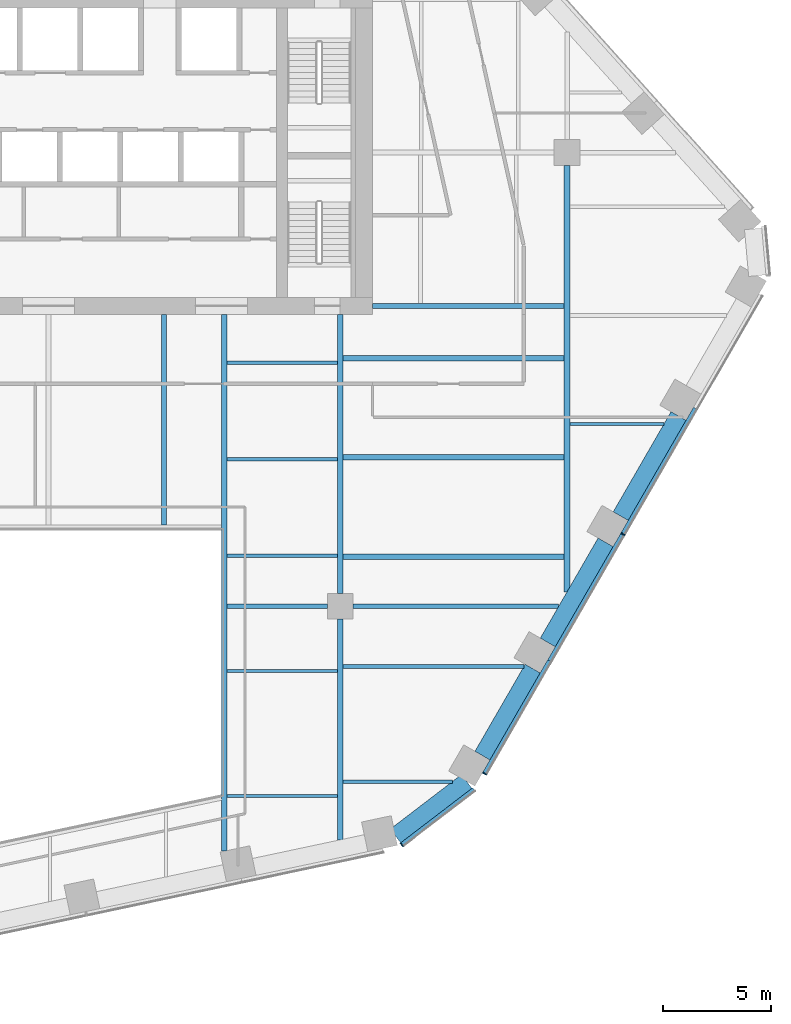
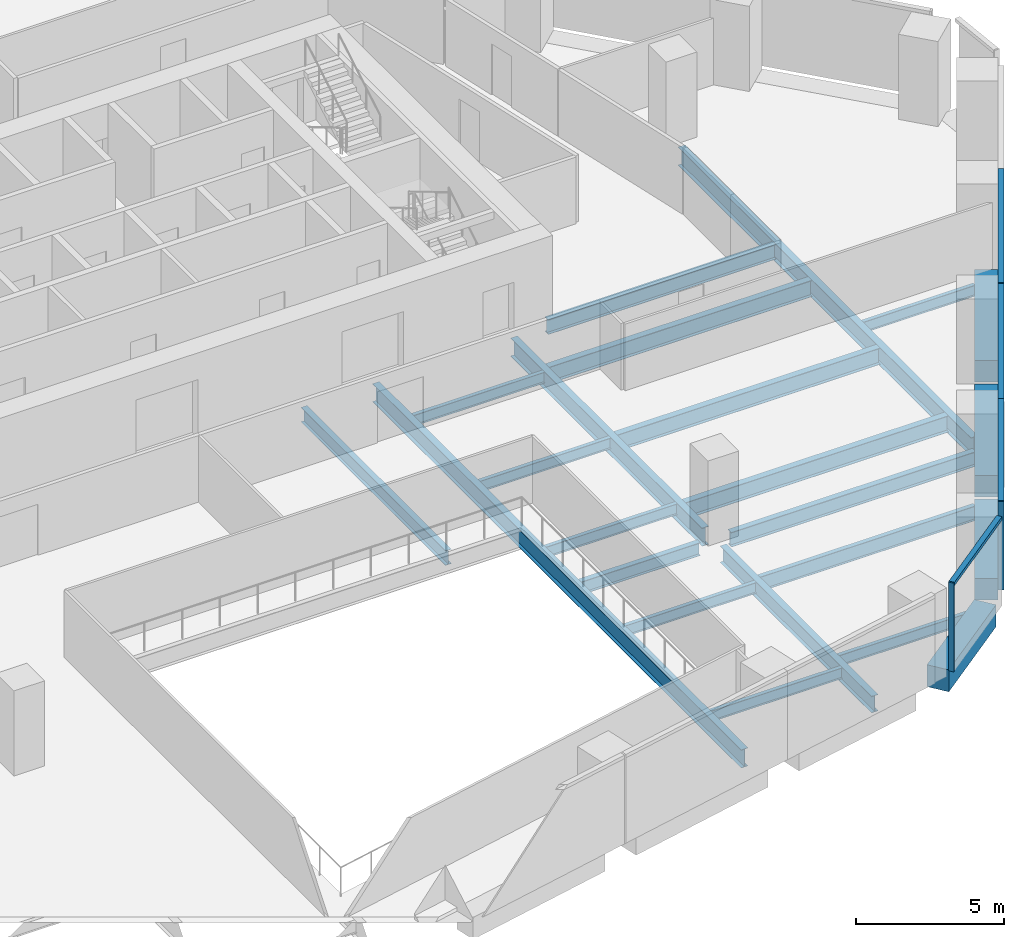
# One storey, part 5 of 16: 23 beams, 7 members, 2 elements without a shape of their own.
"""IFC4 building model written with IfcOpenShell, lengths in metres."""

from ifc_helpers import new_model, si_unit, direction, frame, origin, origin_2d, place, context, subcontext, project, spatial, rectangle, i_section, extrude, material, layer, layer_set, material_profile, profile_set, type_object, element, aggregate, save


model = new_model("IFC4")

# Units and contexts
model_context = context("Model", 3, precision=1e-05, world=origin(), true_north=direction((0.0, 1.0)))
body_context = subcontext(model_context, "Body", "Model", "MODEL_VIEW")
ifc_project = project(units=[si_unit("LENGTHUNIT", "METRE"), si_unit("AREAUNIT", "SQUARE_METRE"), si_unit("VOLUMEUNIT", "CUBIC_METRE"), si_unit("PLANEANGLEUNIT", "RADIAN"), si_unit("MASSUNIT", "GRAM", prefix="KILO")], contexts=[model_context])

# Site, building, storey
site_placement = place(None, origin())
site = spatial("IfcSite", under=ifc_project, at=site_placement, CompositionType="ELEMENT")
building_placement = place(site_placement, origin())
building = spatial("IfcBuilding", under=site, at=building_placement, Name="Isthmus Gate Tower", CompositionType="ELEMENT")
storey_placement = place(building_placement, frame((0.0, 0.0, 140.75)))
storey = spatial("IfcBuildingStorey", under=building, at=storey_placement, Name="L34", CompositionType="ELEMENT", Elevation=140.75)

# Curtain wall, member
ifc_material_1 = material(Name="Aluminium, pale champagne anodised", Category="aluminium")
ifc_layer = layer(ifc_material_1, 0.199951171875)
ifc_layer_set = layer_set([ifc_layer], Name="CW-1 UNITISED CURTAIN WALL 200 DEEP")
curtain_wall_type = type_object("IfcCurtainWallType", Name="CW-1 UNITISED CURTAIN WALL 200 DEEP", PredefinedType="NOTDEFINED", material=ifc_layer_set)
curtain_wall_1_placement = place(storey_placement, origin())
curtain_wall_1 = element("IfcCurtainWall", 1, at=curtain_wall_1_placement, inside=storey, type_object=curtain_wall_type, Name="CW-1 S-SE L34", PredefinedType="NOTDEFINED")
ifc_material_2 = material(Name="Aluminium, pale champagne anodised", Category="aluminium")
ifc_material_profile_1 = material_profile(ifc_material_2, rectangle(XDim=0.06005859375, YDim=0.199951171875, at=origin_2d()), Name="60x200")
ifc_profile_set_1 = profile_set([ifc_material_profile_1], Name="Aluminium, pale champagne anodised")
member_type_1 = type_object("IfcMemberType", Name="CW-1 MULLION 60 X 200", PredefinedType="MULLION", material=ifc_profile_set_1)
member_1_placement = place(storey_placement, frame((16.346435546875, -24.5419921875, 0.0), z_axis=(0.0, 0.0, 1.0), x_axis=(0.794188594387, 0.607671355706, 0.0)))
member_1 = element("IfcMember", 2, at=member_1_placement, type_object=member_type_1, Name="CW-1 mullion", PredefinedType="MULLION", context=body_context, shape_type="SweptSolid", body=[
    extrude(rectangle(XDim=0.06005859375, YDim=0.199951171875, at=origin_2d()), origin(), (0.0, 0.0, 1.0), 3.64990234375),
])

# Curtain wall, members
curtain_wall_2_placement = place(storey_placement, origin())
curtain_wall_2 = element("IfcCurtainWall", 3, at=curtain_wall_2_placement, inside=storey, type_object=curtain_wall_type, Name="CW-1 SE L34", PredefinedType="NOTDEFINED")
member_2_placement = place(storey_placement, frame((20.18115234375, -21.245361328125, 0.0), z_axis=(0.0, 0.0, 1.0), x_axis=(0.5, 0.866025403784, 0.0)))
member_2 = element("IfcMember", 4, at=member_2_placement, type_object=member_type_1, Name="CW-1 mullion", PredefinedType="MULLION", context=body_context, shape_type="SweptSolid", body=[
    extrude(rectangle(XDim=0.06005859375, YDim=0.199951171875, at=origin_2d()), origin(), (0.0, 0.0, 1.0), 3.64990234375),
])
member_3_placement = place(storey_placement, frame((26.5810546875, -10.16015625, 0.0), z_axis=(0.0, 0.0, 1.0), x_axis=(0.5, 0.866025403784, 0.0)))
member_3 = element("IfcMember", 5, at=member_3_placement, type_object=member_type_1, Name="CW-1 mullion", PredefinedType="MULLION", context=body_context, shape_type="SweptSolid", body=[
    extrude(rectangle(XDim=0.06005859375, YDim=0.199951171875, at=origin_2d()), origin(), (0.0, 0.0, 1.0), 3.64990234375),
])

# Member
ifc_material_3 = material(Name="Aluminium, pale champagne anodised", Category="aluminium")
ifc_material_profile_2 = material_profile(ifc_material_3, rectangle(XDim=0.199951171875, YDim=0.139892578125, at=origin_2d()), Name="200x140")
ifc_profile_set_2 = profile_set([ifc_material_profile_2], Name="Aluminium, pale champagne anodised")
member_type_2 = type_object("IfcMemberType", Name="CW-1 TRANSOM 200 X 140", PredefinedType="USERDEFINED", material=ifc_profile_set_2)
member_4_placement = place(storey_placement, frame((16.3701171875, -24.52392578125, 3.580078125), z_axis=(0.79419705805, 0.607660294066, 0.0), x_axis=(-0.607660294066, 0.79419705805, 0.0)))
member_4 = element("IfcMember", 6, at=member_4_placement, type_object=member_type_2, Name="CW-1 transom", ObjectType="TRANSOM", PredefinedType="USERDEFINED", context=body_context, shape_type="SweptSolid", body=[
    extrude(rectangle(XDim=0.199951171875, YDim=0.139892578125, at=origin_2d()), origin(), (0.0, 0.0, 1.0), 4.181640625),
])

aggregate(curtain_wall_1, [member_1, member_4])

member_5_placement = place(storey_placement, frame((20.196044921875, -21.219482421875, 3.580078125), z_axis=(0.499996458184, 0.866027448643, 0.0), x_axis=(-0.866027448643, 0.499996458184, 0.0)))
member_5 = element("IfcMember", 7, at=member_5_placement, type_object=member_type_2, Name="CW-1 transom", ObjectType="TRANSOM", PredefinedType="USERDEFINED", context=body_context, shape_type="SweptSolid", body=[
    extrude(rectangle(XDim=0.199951171875, YDim=0.139892578125, at=origin_2d()), origin(), (0.0, 0.0, 1.0), 5.990234375),
])

member_6_placement = place(storey_placement, frame((23.191162109375, -16.03173828125, 3.580078125), z_axis=(0.499997969693, 0.866026575979, 0.0), x_axis=(-0.866026575979, 0.499997969693, 0.0)))
member_6 = element("IfcMember", 8, at=member_6_placement, type_object=member_type_2, Name="CW-1 transom", ObjectType="TRANSOM", PredefinedType="USERDEFINED", context=body_context, shape_type="SweptSolid", body=[
    extrude(rectangle(XDim=0.199951171875, YDim=0.139892578125, at=origin_2d()), origin(), (0.0, 0.0, 1.0), 6.75),
])

member_7_placement = place(storey_placement, frame((26.59619140625, -10.134033203125, 3.580078125), z_axis=(0.499997283838, 0.866026971956, 0.0), x_axis=(-0.866026971956, 0.499997283838, 0.0)))
member_7 = element("IfcMember", 9, at=member_7_placement, type_object=member_type_2, Name="CW-1 transom", ObjectType="TRANSOM", PredefinedType="USERDEFINED", context=body_context, shape_type="SweptSolid", body=[
    extrude(rectangle(XDim=0.199951171875, YDim=0.139892578125, at=origin_2d()), origin(), (0.0, 0.0, 1.0), 6.68994140625),
])

aggregate(curtain_wall_2, [member_2, member_5, member_6, member_3, member_7])

# Beams
ifc_material_4 = material(Name="Concrete f'c 60 MPa", Category="concrete")
ifc_material_profile_3 = material_profile(ifc_material_4, rectangle(XDim=0.800048828125, YDim=0.89990234375, at=origin_2d()), Name="RC 800X900")
ifc_profile_set_3 = profile_set([ifc_material_profile_3], Name="Concrete f'c 60 MPa")
beam_type_1 = type_object("IfcBeamType", Name="RC SPANDREL 800 X 900", PredefinedType="SPANDREL", material=ifc_profile_set_3)
for number, where, z_axis, x_axis, name in (
    (10, (29.158203125, -4.696533203125, -0.449951171875), (-0.500001594578, -0.866024483152, 0.0), (0.866024483152, -0.500001594578, 0.0), "str-spandrel-L34-07"),
    (11, (25.783203125, -10.542236328125, -0.449951171875), (-0.500001594578, -0.866024483152, 0.0), (0.866024483152, -0.500001594578, 0.0), "str-spandrel-L34-08"),
):
    element("IfcBeam", number, at=place(storey_placement, frame(where, z_axis=z_axis, x_axis=x_axis)), inside=storey, type_object=beam_type_1, Name=name, PredefinedType="SPANDREL", context=body_context, shape_type="SweptSolid", body=[
        extrude(rectangle(XDim=0.800048828125, YDim=0.89990234375, at=origin_2d()), origin(), (0.0, 0.0, 1.0), 5.35009765625),
    ])
beam_1_placement = place(storey_placement, frame((22.408203125, -16.387939453125, -0.449951171875), z_axis=(-0.500001179632, -0.866024722723, 0.0), x_axis=(0.866024722723, -0.500001179632, 0.0)))
element("IfcBeam", 12, at=beam_1_placement, inside=storey, type_object=beam_type_1, Name="str-spandrel-L34-09", PredefinedType="SPANDREL", context=body_context, shape_type="SweptSolid", body=[
    extrude(rectangle(XDim=0.800048828125, YDim=0.89990234375, at=origin_2d()), origin(), (0.0, 0.0, 1.0), 4.650390625),
])
beam_2_placement = place(storey_placement, frame((19.354248046875, -21.611083984375, -0.449951171875), z_axis=(-0.794205941875, -0.607648682949, 0.0), x_axis=(0.607648682949, -0.794205941875, 0.0)))
element("IfcBeam", 13, at=beam_2_placement, inside=storey, type_object=beam_type_1, Name="str-spandrel-L34-10", PredefinedType="SPANDREL", context=body_context, shape_type="SweptSolid", body=[
    extrude(rectangle(XDim=0.800048828125, YDim=0.89990234375, at=origin_2d()), origin(), (0.0, 0.0, 1.0), 4.15234375),
])
ifc_material_5 = material(Name="Structural steel ASTM A992 Gr 50", Category="steel")
ifc_material_profile_4 = material_profile(ifc_material_5, i_section(OverallWidth=0.15234375, OverallDepth=0.45068359375, WebThickness=0.0078125, FlangeThickness=0.010986328125, at=origin_2d()), Name="W18X35")
ifc_profile_set_4 = profile_set([ifc_material_profile_4], Name="Structural steel ASTM A992 Gr 50")
beam_type_2 = type_object("IfcBeamType", Name="STEEL FLOOR BEAM W18X35", PredefinedType="JOIST", material=ifc_profile_set_4)
for number, where, z_axis, x_axis, name in (
    (14, (8.263427734375, -22.283203125, -0.37548828125), (1.0, 0.0, 0.0), (0.0, 1.0, 0.0), "str-beam-L34-09-00"),
    (15, (8.263427734375, -16.49755859375, -0.37548828125), (1.0, 0.0, 0.0), (0.0, 1.0, 0.0), "str-beam-L34-09-01"),
):
    element("IfcBeam", number, at=place(storey_placement, frame(where, z_axis=z_axis, x_axis=x_axis)), inside=storey, type_object=beam_type_2, Name=name, PredefinedType="JOIST", context=body_context, shape_type="SweptSolid", body=[
        extrude(i_section(OverallWidth=0.15234375, OverallDepth=0.45068359375, WebThickness=0.0078125, FlangeThickness=0.010986328125, at=origin_2d()), origin(), (0.0, 0.0, 1.0), 5.109619140625),
    ])
for number, where, z_axis, x_axis, name in (
    (16, (8.263427734375, -11.16259765625, -0.37548828125), (1.0, 0.0, 0.0), (0.0, 1.0, 0.0), "str-beam-L34-10-00"),
    (17, (8.263427734375, -6.697509765625, -0.37548828125), (1.0, 0.0, 0.0), (0.0, 1.0, 0.0), "str-beam-L34-10-01"),
    (18, (8.263427734375, -2.232421875, -0.37548828125), (1.0, 0.0, 0.0), (0.0, 1.0, 0.0), "str-beam-L34-10-02"),
):
    element("IfcBeam", number, at=place(storey_placement, frame(where, z_axis=z_axis, x_axis=x_axis)), inside=storey, type_object=beam_type_2, Name=name, PredefinedType="JOIST", context=body_context, shape_type="SweptSolid", body=[
        extrude(i_section(OverallWidth=0.15234375, OverallDepth=0.45068359375, WebThickness=0.0078125, FlangeThickness=0.010986328125, at=origin_2d()), origin(), (0.0, 0.0, 1.0), 5.104736328125),
    ])
beam_3_placement = place(storey_placement, frame((13.626953125, -21.61767578125, -0.37548828125), z_axis=(1.0, 0.0, 0.0), x_axis=(0.0, 1.0, 0.0)))
element("IfcBeam", 19, at=beam_3_placement, inside=storey, type_object=beam_type_2, Name="str-beam-L34-11-00", PredefinedType="JOIST", context=body_context, shape_type="SweptSolid", body=[
    extrude(i_section(OverallWidth=0.15234375, OverallDepth=0.45068359375, WebThickness=0.0078125, FlangeThickness=0.010986328125, at=origin_2d()), origin(), (0.0, 0.0, 1.0), 5.060302734375),
])
beam_4_placement = place(storey_placement, frame((24.13330078125, -5.0625, -0.37548828125), z_axis=(1.0, 0.0, 0.0), x_axis=(0.0, 1.0, 0.0)))
element("IfcBeam", 20, at=beam_4_placement, inside=storey, type_object=beam_type_2, Name="str-beam-L34-16-00", PredefinedType="JOIST", context=body_context, shape_type="SweptSolid", body=[
    extrude(i_section(OverallWidth=0.15234375, OverallDepth=0.45068359375, WebThickness=0.0078125, FlangeThickness=0.010986328125, at=origin_2d()), origin(), (0.0, 0.0, 1.0), 4.351806640625),
])
ifc_material_6 = material(Name="Structural steel ASTM A992 Gr 50", Category="steel")
ifc_material_profile_5 = material_profile(ifc_material_6, i_section(OverallWidth=0.177734375, OverallDepth=0.60009765625, WebThickness=0.009521484375, FlangeThickness=0.0126953125, at=origin_2d()), Name="W24X55")
ifc_profile_set_5 = profile_set([ifc_material_profile_5], Name="Structural steel ASTM A992 Gr 50")
beam_type_3 = type_object("IfcBeamType", Name="STEEL FLOOR BEAM W24X55", PredefinedType="JOIST", material=ifc_profile_set_5)
beam_5_placement = place(storey_placement, frame((13.626953125, -16.2822265625, -0.449951171875), z_axis=(1.0, 0.0, 0.0), x_axis=(0.0, 1.0, 0.0)))
element("IfcBeam", 21, at=beam_5_placement, inside=storey, type_object=beam_type_3, Name="str-beam-L34-11-01", PredefinedType="JOIST", context=body_context, shape_type="SweptSolid", body=[
    extrude(i_section(OverallWidth=0.177734375, OverallDepth=0.60009765625, WebThickness=0.009521484375, FlangeThickness=0.0126953125, at=origin_2d()), origin(), (0.0, 0.0, 1.0), 8.38037109375),
])
ifc_material_7 = material(Name="Structural steel ASTM A992 Gr 50", Category="steel")
ifc_material_profile_6 = material_profile(ifc_material_7, i_section(OverallWidth=0.228515625, OverallDepth=0.603271484375, WebThickness=0.010986328125, FlangeThickness=0.014404296875, at=origin_2d()), Name="W24X68")
ifc_profile_set_6 = profile_set([ifc_material_profile_6], Name="Structural steel ASTM A992 Gr 50")
beam_type_4 = type_object("IfcBeamType", Name="STEEL FLOOR BEAM W24X68", PredefinedType="JOIST", material=ifc_profile_set_6)
beam_6_placement = place(storey_placement, frame((5.333251953125, -9.7333984375, -0.45166015625), z_axis=(0.0, 1.0, 0.0), x_axis=(-1.0, 0.0, 0.0)))
element("IfcBeam", 22, at=beam_6_placement, inside=storey, type_object=beam_type_4, Name="str-beam-L34-06-02", PredefinedType="JOIST", context=body_context, shape_type="SweptSolid", body=[
    extrude(i_section(OverallWidth=0.228515625, OverallDepth=0.603271484375, WebThickness=0.010986328125, FlangeThickness=0.014404296875, at=origin_2d()), origin(), (0.0, 0.0, 1.0), 9.7333984375),
])
ifc_material_8 = material(Name="Structural steel ASTM A992 Gr 50", Category="steel")
ifc_material_profile_7 = material_profile(ifc_material_8, i_section(OverallWidth=0.25390625, OverallDepth=0.679443359375, WebThickness=0.010986328125, FlangeThickness=0.015869140625, at=origin_2d()), Name="W27X84")
ifc_profile_set_7 = profile_set([ifc_material_profile_7], Name="Structural steel ASTM A992 Gr 50")
beam_type_5 = type_object("IfcBeamType", Name="STEEL FLOOR BEAM W27X84", PredefinedType="JOIST", material=ifc_profile_set_7)
for number, where, z_axis, x_axis, name in (
    (23, (13.6318359375, -11.202392578125, -0.48974609375), (1.0, 0.0, 0.0), (0.0, 1.0, 0.0), "str-beam-L34-12-00"),
    (24, (13.6318359375, -6.607177734375, -0.48974609375), (1.0, 0.0, 0.0), (0.0, 1.0, 0.0), "str-beam-L34-12-01"),
    (25, (13.6318359375, -2.011962890625, -0.48974609375), (1.0, 0.0, 0.0), (0.0, 1.0, 0.0), "str-beam-L34-12-02"),
):
    element("IfcBeam", number, at=place(storey_placement, frame(where, z_axis=z_axis, x_axis=x_axis)), inside=storey, type_object=beam_type_5, Name=name, PredefinedType="JOIST", context=body_context, shape_type="SweptSolid", body=[
        extrude(i_section(OverallWidth=0.25390625, OverallDepth=0.679443359375, WebThickness=0.010986328125, FlangeThickness=0.015869140625, at=origin_2d()), origin(), (0.0, 0.0, 1.0), 10.23486328125),
    ])
ifc_material_9 = material(Name="Structural steel ASTM A992 Gr 50", Category="steel")
ifc_material_profile_8 = material_profile(ifc_material_9, i_section(OverallWidth=0.20947265625, OverallDepth=0.533447265625, WebThickness=0.009521484375, FlangeThickness=0.015869140625, at=origin_2d()), Name="W21X62")
ifc_profile_set_8 = profile_set([ifc_material_profile_8], Name="Structural steel ASTM A992 Gr 50")
beam_type_6 = type_object("IfcBeamType", Name="STEEL GIRDER W21X62", PredefinedType="BEAM", material=ifc_profile_set_8)
beam_7_placement = place(storey_placement, frame((8.263427734375, -13.5, -0.416748046875), z_axis=(1.0, 0.0, 0.0), x_axis=(0.0, 1.0, 0.0)))
element("IfcBeam", 26, at=beam_7_placement, inside=storey, type_object=beam_type_6, Name="str-girder-L34-03", PredefinedType="BEAM", context=body_context, shape_type="SweptSolid", body=[
    extrude(i_section(OverallWidth=0.20947265625, OverallDepth=0.533447265625, WebThickness=0.009521484375, FlangeThickness=0.015869140625, at=origin_2d()), origin(), (0.0, 0.0, 1.0), 4.636474609375),
])
ifc_material_10 = material(Name="Structural steel ASTM A992 Gr 50", Category="steel")
ifc_material_profile_9 = material_profile(ifc_material_10, i_section(OverallWidth=0.228515625, OverallDepth=0.6064453125, WebThickness=0.010986328125, FlangeThickness=0.017578125, at=origin_2d()), Name="W24X76")
ifc_profile_set_9 = profile_set([ifc_material_profile_9], Name="Structural steel ASTM A992 Gr 50")
beam_type_7 = type_object("IfcBeamType", Name="STEEL GIRDER W24X76", PredefinedType="BEAM", material=ifc_profile_set_9)
beam_8_placement = place(storey_placement, frame((14.10009765625, -13.5, -0.453125), z_axis=(1.0, 0.0, 0.0), x_axis=(0.0, 1.0, 0.0)))
element("IfcBeam", 27, at=beam_8_placement, inside=storey, type_object=beam_type_7, Name="str-girder-L34-04", PredefinedType="BEAM", context=body_context, shape_type="SweptSolid", body=[
    extrude(i_section(OverallWidth=0.228515625, OverallDepth=0.6064453125, WebThickness=0.010986328125, FlangeThickness=0.017578125, at=origin_2d()), origin(), (0.0, 0.0, 1.0), 9.513427734375),
])
beam_9_placement = place(storey_placement, frame((15.0, 0.39990234375, -0.453125), z_axis=(1.0, 0.0, 0.0), x_axis=(0.0, 1.0, 0.0)))
element("IfcBeam", 28, at=beam_9_placement, inside=storey, type_object=beam_type_7, Name="str-girder-L34-14", PredefinedType="BEAM", context=body_context, shape_type="SweptSolid", body=[
    extrude(i_section(OverallWidth=0.228515625, OverallDepth=0.6064453125, WebThickness=0.010986328125, FlangeThickness=0.017578125, at=origin_2d()), origin(), (0.0, 0.0, 1.0), 8.86669921875),
])
ifc_material_11 = material(Name="Structural steel ASTM A992 Gr 50", Category="steel")
ifc_material_profile_10 = material_profile(ifc_material_11, i_section(OverallWidth=0.25390625, OverallDepth=0.679443359375, WebThickness=0.010986328125, FlangeThickness=0.015869140625, at=origin_2d()), Name="W27X84")
ifc_profile_set_10 = profile_set([ifc_material_profile_10], Name="Structural steel ASTM A992 Gr 50")
beam_type_8 = type_object("IfcBeamType", Name="STEEL GIRDER W27X84", PredefinedType="BEAM", material=ifc_profile_set_10)
beam_10_placement = place(storey_placement, frame((13.5, -24.3125, -0.48974609375), z_axis=(0.0, 1.0, 0.0), x_axis=(-1.0, 0.0, 0.0)))
element("IfcBeam", 29, at=beam_10_placement, inside=storey, type_object=beam_type_8, Name="str-girder-L34-09", PredefinedType="BEAM", context=body_context, shape_type="SweptSolid", body=[
    extrude(i_section(OverallWidth=0.25390625, OverallDepth=0.679443359375, WebThickness=0.010986328125, FlangeThickness=0.015869140625, at=origin_2d()), origin(), (0.0, 0.0, 1.0), 10.21240234375),
])
ifc_material_12 = material(Name="Structural steel ASTM A992 Gr 50", Category="steel")
ifc_material_profile_11 = material_profile(ifc_material_12, i_section(OverallWidth=0.2666015625, OverallDepth=0.7587890625, WebThickness=0.014404296875, FlangeThickness=0.01904296875, at=origin_2d()), Name="W30X108")
ifc_profile_set_11 = profile_set([ifc_material_profile_11], Name="Structural steel ASTM A992 Gr 50")
beam_type_9 = type_object("IfcBeamType", Name="STEEL GIRDER W30X108", PredefinedType="BEAM", material=ifc_profile_set_11)
beam_11_placement = place(storey_placement, frame((24.0, -12.830810546875, -0.529296875), z_axis=(0.0, 1.0, 0.0), x_axis=(-1.0, 0.0, 0.0)))
element("IfcBeam", 30, at=beam_11_placement, inside=storey, type_object=beam_type_9, Name="str-girder-L34-11", PredefinedType="BEAM", context=body_context, shape_type="SweptSolid", body=[
    extrude(i_section(OverallWidth=0.2666015625, OverallDepth=0.7587890625, WebThickness=0.014404296875, FlangeThickness=0.01904296875, at=origin_2d()), origin(), (0.0, 0.0, 1.0), 19.730712890625),
])
ifc_material_13 = material(Name="Structural steel ASTM A992 Gr 50", Category="steel")
ifc_material_profile_12 = material_profile(ifc_material_13, i_section(OverallWidth=0.263427734375, OverallDepth=0.749267578125, WebThickness=0.0126953125, FlangeThickness=0.015869140625, at=origin_2d()), Name="W30X90")
ifc_profile_set_12 = profile_set([ifc_material_profile_12], Name="Structural steel ASTM A992 Gr 50")
beam_type_10 = type_object("IfcBeamType", Name="STEEL GIRDER W30X90", PredefinedType="BEAM", material=ifc_profile_set_12)
beam_12_placement = place(storey_placement, frame((13.5, -12.89990234375, -0.524658203125), z_axis=(0.0, 1.0, 0.0), x_axis=(-1.0, 0.0, 0.0)))
element("IfcBeam", 31, at=beam_12_placement, inside=storey, type_object=beam_type_10, Name="str-girder-L34-10", PredefinedType="BEAM", context=body_context, shape_type="SweptSolid", body=[
    extrude(i_section(OverallWidth=0.263427734375, OverallDepth=0.749267578125, WebThickness=0.0126953125, FlangeThickness=0.015869140625, at=origin_2d()), origin(), (0.0, 0.0, 1.0), 12.89990234375),
])
ifc_material_14 = material(Name="Structural steel ASTM A992 Gr 50", Category="steel")
ifc_material_profile_13 = material_profile(ifc_material_14, i_section(OverallWidth=0.263427734375, OverallDepth=0.749267578125, WebThickness=0.0126953125, FlangeThickness=0.015869140625, at=origin_2d()), Name="W30X90")
ifc_profile_set_13 = profile_set([ifc_material_profile_13], Name="Structural steel ASTM A992 Gr 50")
beam_type_11 = type_object("IfcBeamType", Name="STEEL TRIMMER W30X90", PredefinedType="BEAM", material=ifc_profile_set_13)
beam_13_placement = place(storey_placement, frame((8.1318359375, -24.84033203125, -0.524658203125), z_axis=(0.0, 1.0, 0.0), x_axis=(-1.0, 0.0, 0.0)))
element("IfcBeam", 32, at=beam_13_placement, inside=storey, type_object=beam_type_11, Name="str-trimmer-L34-01", PredefinedType="BEAM", context=body_context, shape_type="SweptSolid", body=[
    extrude(i_section(OverallWidth=0.263427734375, OverallDepth=0.749267578125, WebThickness=0.0126953125, FlangeThickness=0.015869140625, at=origin_2d()), origin(), (0.0, 0.0, 1.0), 24.84033203125),
])

save(model, "model.ifc")
